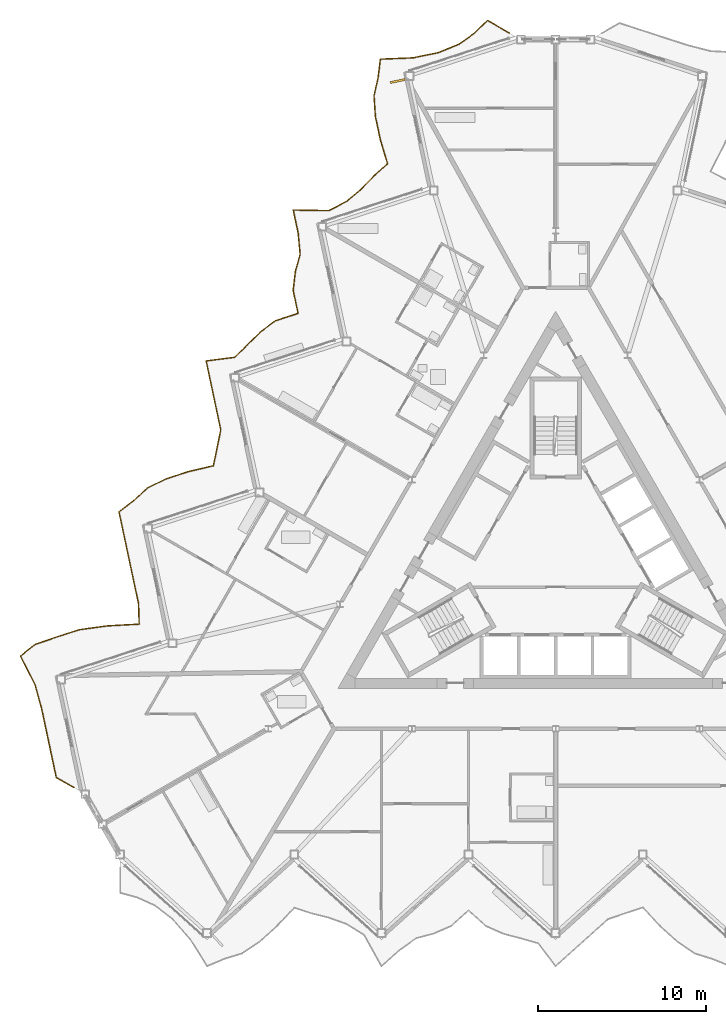
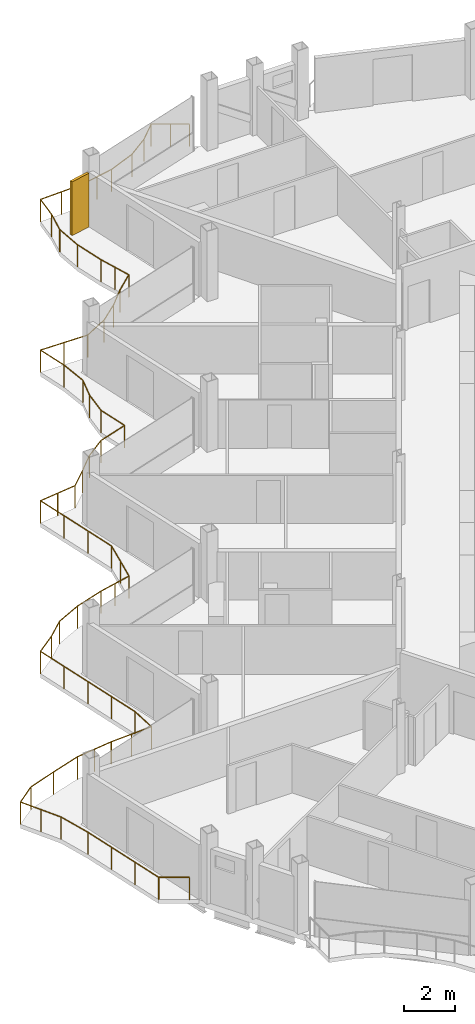
# One storey, part 24 of 26: 1 railing, 1 shading device.
"""IFC4 building model written with IfcOpenShell, lengths in metres."""

from ifc_helpers import new_model, si_unit, direction, frame, origin, origin_2d, place, context, subcontext, project, spatial, rectangle, circle, extrude, material, layer, layer_set, type_object, element, save


model = new_model("IFC4")

# Units and contexts
model_context = context("Model", 3, precision=1e-05, world=origin(), true_north=direction((0.0, 1.0)))
body_context = subcontext(model_context, "Body", "Model", "MODEL_VIEW")
ifc_project = project(units=[si_unit("LENGTHUNIT", "METRE"), si_unit("AREAUNIT", "SQUARE_METRE"), si_unit("VOLUMEUNIT", "CUBIC_METRE"), si_unit("PLANEANGLEUNIT", "RADIAN"), si_unit("MASSUNIT", "GRAM", prefix="KILO")], contexts=[model_context])

# Site, building, storey
site_placement = place(None, origin())
site = spatial("IfcSite", under=ifc_project, at=site_placement, CompositionType="ELEMENT")
building_placement = place(site_placement, origin())
building = spatial("IfcBuilding", under=site, at=building_placement, Name="Cormorant Prow Tower", CompositionType="ELEMENT")
storey_placement = place(building_placement, frame((0.0, 0.0, 384.800048828125)))
storey = spatial("IfcBuildingStorey", under=building, at=storey_placement, Name="L87", CompositionType="ELEMENT", Elevation=384.800048828125)

# Railing
ifc_material_1 = material(Name="Aluminium 6063-T6", Category="aluminium")
railing_type = type_object("IfcRailingType", Name="Balcony guard 1100", PredefinedType="GUARDRAIL", material=ifc_material_1)
railing_placement = place(storey_placement, frame((-2.752685546875, 31.611572265625, 0.0)))
element("IfcRailing", 1, at=railing_placement, inside=storey, type_object=railing_type, Name="Balcony guard WNW", PredefinedType="GUARDRAIL", context=body_context, shape_type="SweptSolid", body=[
    extrude(circle(Radius=0.02392578125, at=origin_2d()), frame((0.0, 0.0, 1.076171875), z_axis=(-0.866030456496, 0.499991248344, 0.0), x_axis=(-0.499991248344, -0.866030456496, 0.0)), (0.0, 0.0, 1.0), 1.52001953125),
    extrude(circle(Radius=0.02392578125, at=origin_2d()), frame((-1.31640625, 0.760009765625, 1.076171875), z_axis=(-0.710157290995, -0.704043054114, 0.0), x_axis=(0.704043054114, -0.710157290995, 0.0)), (0.0, 0.0, 1.0), 1.078125),
    extrude(circle(Radius=0.02392578125, at=origin_2d()), frame((-2.08203125, 0.0009765625, 1.076171875), z_axis=(-0.81488585966, -0.579621458993, 0.0), x_axis=(0.579621458993, -0.81488585966, 0.0)), (0.0, 0.0, 1.0), 1.1435546875),
    extrude(circle(Radius=0.02392578125, at=origin_2d()), frame((-3.013916015625, -0.661865234375, 1.076171875), z_axis=(-0.925200391586, -0.379478899821, 0.0), x_axis=(0.379478899821, -0.925200391586, 0.0)), (0.0, 0.0, 1.0), 1.314453125),
    extrude(circle(Radius=0.02392578125, at=origin_2d()), frame((-4.22998046875, -1.16064453125, 1.076171875), z_axis=(-0.979535760735, -0.201270200081, 0.0), x_axis=(0.201270200081, -0.979535760735, 0.0)), (0.0, 0.0, 1.0), 1.56591796875),
    extrude(circle(Radius=0.02392578125, at=origin_2d()), frame((-5.763916015625, -1.475830078125, 1.076171875), z_axis=(-0.999226169607, -0.039332708695, 0.0), x_axis=(0.039332708695, -0.999226169607, 0.0)), (0.0, 0.0, 1.0), 1.948974609375),
    extrude(circle(Radius=0.02392578125, at=origin_2d()), frame((-7.71142578125, -1.552490234375, 1.076171875), z_axis=(-0.120976497964, -0.992655371688, 0.0), x_axis=(0.992655371688, -0.120976497964, 0.0)), (0.0, 0.0, 1.0), 1.130126953125),
    extrude(circle(Radius=0.02392578125, at=origin_2d()), frame((-7.84814453125, -2.67431640625, 1.076171875), z_axis=(-0.223269557457, -0.974756741302, 0.0), x_axis=(0.974756741302, -0.223269557457, 0.0)), (0.0, 0.0, 1.0), 1.087890625),
    extrude(circle(Radius=0.02392578125, at=origin_2d()), frame((-8.091064453125, -3.73486328125, 1.076171875), z_axis=(0.066700231917, -0.9977730599, 0.0), x_axis=(0.9977730599, 0.066700231917, 0.0)), (0.0, 0.0, 1.0), 1.251708984375),
    extrude(circle(Radius=0.02392578125, at=origin_2d()), frame((-8.007568359375, -4.98388671875, 1.076171875), z_axis=(0.20777738218, -0.978176139279, 0.0), x_axis=(0.978176139279, 0.20777738218, 0.0)), (0.0, 0.0, 1.0), 1.3994140625),
    extrude(circle(Radius=0.02392578125, at=origin_2d()), frame((-7.716796875, -6.352783203125, 1.076171875), z_axis=(0.286134937078, -0.958189332952, 0.0), x_axis=(0.958189332952, 0.286134937078, 0.0)), (0.0, 0.0, 1.0), 1.514404296875),
    extrude(circle(Radius=0.02392578125, at=origin_2d()), frame((-7.283447265625, -7.803955078125, 1.076171875), z_axis=(-0.747433901023, -0.664336182668, 0.0), x_axis=(0.664336182668, -0.747433901023, 0.0)), (0.0, 0.0, 1.0), 1.095947265625),
    extrude(circle(Radius=0.02392578125, at=origin_2d()), frame((-8.1025390625, -8.531982421875, 1.076171875), z_axis=(-0.694232543676, -0.719750773047, 0.0), x_axis=(0.719750773047, -0.694232543676, 0.0)), (0.0, 0.0, 1.0), 1.071533203125),
    extrude(circle(Radius=0.02392578125, at=origin_2d()), frame((-8.846435546875, -9.30322265625, 1.076171875), z_axis=(-0.762042946586, -0.647526484059, 0.0), x_axis=(0.647526484059, -0.762042946586, 0.0)), (0.0, 0.0, 1.0), 1.104248046875),
    extrude(circle(Radius=0.02392578125, at=origin_2d()), frame((-9.68798828125, -10.018310546875, 1.076171875), z_axis=(-0.883254828522, -0.468893279855, 0.0), x_axis=(0.468893279855, -0.883254828522, 0.0)), (0.0, 0.0, 1.0), 1.226806640625),
    extrude(circle(Radius=0.02392578125, at=origin_2d()), frame((-10.771484375, -10.593505859375, 1.076171875), z_axis=(-0.999870634012, 0.016084627427, 0.0), x_axis=(-0.016084627427, -0.999870634012, 0.0)), (0.0, 0.0, 1.0), 2.14013671875),
    extrude(circle(Radius=0.02392578125, at=origin_2d()), frame((-12.911376953125, -10.55908203125, 1.076171875), z_axis=(0.207944297815, -0.978140669335, 0.0), x_axis=(0.978140669335, 0.207944297815, 0.0)), (0.0, 0.0, 1.0), 1.3994140625),
    extrude(circle(Radius=0.02392578125, at=origin_2d()), frame((-12.620361328125, -11.927978515625, 1.076171875), z_axis=(0.093969123422, -0.995575112105, 0.0), x_axis=(0.995575112105, 0.093969123422, 0.0)), (0.0, 0.0, 1.0), 1.275634765625),
    extrude(circle(Radius=0.02392578125, at=origin_2d()), frame((-12.50048828125, -13.197998046875, 1.076171875), z_axis=(-0.265768857958, -0.964036780491, 0.0), x_axis=(0.964036780491, -0.265768857958, 0.0)), (0.0, 0.0, 1.0), 1.07470703125),
    extrude(circle(Radius=0.02392578125, at=origin_2d()), frame((-12.7861328125, -14.234130859375, 1.076171875), z_axis=(-0.115278367878, -0.993333226012, 0.0), x_axis=(0.993333226012, -0.115278367878, 0.0)), (0.0, 0.0, 1.0), 1.133056640625),
    extrude(circle(Radius=0.02392578125, at=origin_2d()), frame((-12.916748046875, -15.359619140625, 1.076171875), z_axis=(0.207979786632, -0.978133124044, 0.0), x_axis=(0.978133124044, 0.207979786632, 0.0)), (0.0, 0.0, 1.0), 1.399169921875),
    extrude(circle(Radius=0.02392578125, at=origin_2d()), frame((-12.625732421875, -16.728271484375, 1.076171875), z_axis=(-0.951028941009, -0.309101849499, 0.0), x_axis=(0.309101849499, -0.951028941009, 0.0)), (0.0, 0.0, 1.0), 1.399658203125),
    extrude(circle(Radius=0.02392578125, at=origin_2d()), frame((-13.956787109375, -17.160888671875, 1.076171875), z_axis=(-0.807107706022, -0.590404226678, 0.0), x_axis=(0.590404226678, -0.807107706022, 0.0)), (0.0, 0.0, 1.0), 1.13671875),
    extrude(circle(Radius=0.02392578125, at=origin_2d()), frame((-14.874267578125, -17.83203125, 1.076171875), z_axis=(-0.702777909554, -0.711409312451, 0.0), x_axis=(0.711409312451, -0.702777909554, 0.0)), (0.0, 0.0, 1.0), 1.074951171875),
    extrude(circle(Radius=0.02392578125, at=origin_2d()), frame((-15.629638671875, -18.5966796875, 1.076171875), z_axis=(-0.71973960261, -0.694244124523, 0.0), x_axis=(0.694244124523, -0.71973960261, 0.0)), (0.0, 0.0, 1.0), 1.08203125),
    extrude(circle(Radius=0.02392578125, at=origin_2d()), frame((-16.408447265625, -19.347900390625, 1.076171875), z_axis=(-0.991921629668, -0.126852199808, 0.0), x_axis=(0.126852199808, -0.991921629668, 0.0)), (0.0, 0.0, 1.0), 1.716796875),
    extrude(circle(Radius=0.02392578125, at=origin_2d()), frame((-18.111328125, -19.565673828125, 1.076171875), z_axis=(0.207944297815, -0.978140669335, 0.0), x_axis=(0.978140669335, 0.207944297815, 0.0)), (0.0, 0.0, 1.0), 1.3994140625),
    extrude(circle(Radius=0.02392578125, at=origin_2d()), frame((-17.8203125, -20.9345703125, 1.076171875), z_axis=(0.207944297815, -0.978140669335, 0.0), x_axis=(0.978140669335, 0.207944297815, 0.0)), (0.0, 0.0, 1.0), 1.3994140625),
    extrude(circle(Radius=0.02392578125, at=origin_2d()), frame((-17.529296875, -22.303466796875, 1.076171875), z_axis=(0.20777738218, -0.978176139279, 0.0), x_axis=(0.978176139279, 0.20777738218, 0.0)), (0.0, 0.0, 1.0), 1.3994140625),
    extrude(circle(Radius=0.02392578125, at=origin_2d()), frame((-17.238525390625, -23.67236328125, 1.076171875), z_axis=(-0.195902319336, -0.980623414609, 0.0), x_axis=(0.980623414609, -0.195902319336, 0.0)), (0.0, 0.0, 1.0), 1.097900390625),
    extrude(circle(Radius=0.02392578125, at=origin_2d()), frame((-17.45361328125, -24.7490234375, 1.076171875), z_axis=(-0.203998769603, -0.978971144621, 0.0), x_axis=(0.978971144621, -0.203998769603, 0.0)), (0.0, 0.0, 1.0), 1.094970703125),
    extrude(circle(Radius=0.02392578125, at=origin_2d()), frame((-17.677001953125, -25.821044921875, 1.076171875), z_axis=(-0.973671491133, -0.227955757452, 0.0), x_axis=(0.227955757452, -0.973671491133, 0.0)), (0.0, 0.0, 1.0), 1.519775390625),
    extrude(circle(Radius=0.02392578125, at=origin_2d()), frame((-19.15673828125, -26.16748046875, 1.076171875), z_axis=(-0.951063554534, -0.308995332064, 0.0), x_axis=(0.308995332064, -0.951063554534, 0.0)), (0.0, 0.0, 1.0), 1.399169921875),
    extrude(circle(Radius=0.02392578125, at=origin_2d()), frame((-20.487548828125, -26.599853515625, 1.076171875), z_axis=(-0.899763253088, -0.43637837755, 0.0), x_axis=(0.43637837755, -0.899763253088, 0.0)), (0.0, 0.0, 1.0), 1.256591796875),
    extrude(circle(Radius=0.02392578125, at=origin_2d()), frame((-21.6181640625, -27.148193359375, 1.076171875), z_axis=(-0.733934542927, -0.679220204866, 0.0), x_axis=(0.679220204866, -0.733934542927, 0.0)), (0.0, 0.0, 1.0), 1.0888671875),
    extrude(circle(Radius=0.02392578125, at=origin_2d()), frame((-22.417236328125, -27.8876953125, 1.076171875), z_axis=(-0.794056234452, -0.607844302867, 0.0), x_axis=(0.607844302867, -0.794056234452, 0.0)), (0.0, 0.0, 1.0), 1.126220703125),
    extrude(circle(Radius=0.02392578125, at=origin_2d()), frame((-23.3115234375, -28.572265625, 1.076171875), z_axis=(0.207944297815, -0.978140669335, 0.0), x_axis=(0.978140669335, 0.207944297815, 0.0)), (0.0, 0.0, 1.0), 1.3994140625),
    extrude(circle(Radius=0.02392578125, at=origin_2d()), frame((-23.0205078125, -29.941162109375, 1.076171875), z_axis=(0.207944297815, -0.978140669335, 0.0), x_axis=(0.978140669335, 0.207944297815, 0.0)), (0.0, 0.0, 1.0), 1.3994140625),
    extrude(circle(Radius=0.02392578125, at=origin_2d()), frame((-22.7294921875, -31.31005859375, 1.076171875), z_axis=(0.207944297815, -0.978140669335, 0.0), x_axis=(0.978140669335, 0.207944297815, 0.0)), (0.0, 0.0, 1.0), 1.3994140625),
    extrude(circle(Radius=0.02392578125, at=origin_2d()), frame((-22.4384765625, -32.678955078125, 1.076171875), z_axis=(0.207944297815, -0.978140669335, 0.0), x_axis=(0.978140669335, 0.207944297815, 0.0)), (0.0, 0.0, 1.0), 1.3994140625),
    extrude(circle(Radius=0.02392578125, at=origin_2d()), frame((-22.1474609375, -34.0478515625, 1.076171875), z_axis=(0.032890054051, -0.999458975819, 0.0), x_axis=(0.999458975819, 0.032890054051, 0.0)), (0.0, 0.0, 1.0), 1.224853515625),
    extrude(circle(Radius=0.02392578125, at=origin_2d()), frame((-22.107177734375, -35.27197265625, 1.076171875), z_axis=(-0.998466276109, -0.055363304387, 0.0), x_axis=(0.055363304387, -0.998466276109, 0.0)), (0.0, 0.0, 1.0), 1.900634765625),
    extrude(circle(Radius=0.02392578125, at=origin_2d()), frame((-24.0048828125, -35.377197265625, 1.076171875), z_axis=(-0.990826668367, -0.13513886655, 0.0), x_axis=(0.13513886655, -0.990826668367, 0.0)), (0.0, 0.0, 1.0), 1.6982421875),
    extrude(circle(Radius=0.02392578125, at=origin_2d()), frame((-25.6875, -35.606689453125, 1.076171875), z_axis=(-0.951080208938, -0.308944066403, 0.0), x_axis=(0.308944066403, -0.951080208938, 0.0)), (0.0, 0.0, 1.0), 1.3994140625),
    extrude(circle(Radius=0.02392578125, at=origin_2d()), frame((-27.0185546875, -36.0390625, 1.076171875), z_axis=(-0.945592977714, -0.325351994767, 0.0), x_axis=(0.325351994767, -0.945592977714, 0.0)), (0.0, 0.0, 1.0), 1.37841796875),
    extrude(circle(Radius=0.02392578125, at=origin_2d()), frame((-28.322021484375, -36.487548828125, 1.076171875), z_axis=(-0.781593284151, -0.62378837611, 0.0), x_axis=(0.62378837611, -0.781593284151, 0.0)), (0.0, 0.0, 1.0), 1.116943359375),
    extrude(circle(Radius=0.02392578125, at=origin_2d()), frame((-29.195068359375, -37.184326171875, 1.076171875), z_axis=(0.456008801075, -0.889975265579, 0.0), x_axis=(0.889975265579, 0.456008801075, 0.0)), (0.0, 0.0, 1.0), 1.916259765625),
    extrude(circle(Radius=0.02392578125, at=origin_2d()), frame((-28.3212890625, -38.8896484375, 1.076171875), z_axis=(0.264792186172, -0.964305500421, 0.0), x_axis=(0.964305500421, 0.264792186172, 0.0)), (0.0, 0.0, 1.0), 1.479736328125),
    extrude(circle(Radius=0.02392578125, at=origin_2d()), frame((-27.929443359375, -40.316650390625, 1.076171875), z_axis=(0.207908820833, -0.978148210764, 0.0), x_axis=(0.978148210764, 0.207908820833, 0.0)), (0.0, 0.0, 1.0), 1.399658203125),
    extrude(circle(Radius=0.02392578125, at=origin_2d()), frame((-27.638427734375, -41.685791015625, 1.076171875), z_axis=(0.207944297815, -0.978140669335, 0.0), x_axis=(0.978140669335, 0.207944297815, 0.0)), (0.0, 0.0, 1.0), 1.3994140625),
    extrude(circle(Radius=0.02392578125, at=origin_2d()), frame((-27.347412109375, -43.0546875, 1.076171875), z_axis=(0.207812845083, -0.978168605823, 0.0), x_axis=(0.978168605823, 0.207812845083, 0.0)), (0.0, 0.0, 1.0), 1.399169921875),
    extrude(circle(Radius=0.02392578125, at=origin_2d()), frame((-27.056640625, -44.42333984375, 1.076171875), z_axis=(0.866005645448, -0.500034220881, 0.0), x_axis=(0.500034220881, 0.866005645448, 0.0)), (0.0, 0.0, 1.0), 1.22021484375),
    extrude(circle(Radius=0.02099609375, at=origin_2d()), origin(), (0.0, 0.0, 1.0), 1.052001953125),
    extrude(circle(Radius=0.02099609375, at=origin_2d()), frame((-0.658203125, 0.3798828125, 0.0)), (0.0, 0.0, 1.0), 1.052001953125),
    extrude(circle(Radius=0.02099609375, at=origin_2d()), frame((-1.31640625, 0.760009765625, 0.0)), (0.0, 0.0, 1.0), 1.052001953125),
    extrude(circle(Radius=0.02099609375, at=origin_2d()), frame((-2.08203125, 0.0009765625, 0.0)), (0.0, 0.0, 1.0), 1.052001953125),
    extrude(circle(Radius=0.02099609375, at=origin_2d()), frame((-3.013916015625, -0.661865234375, 0.0)), (0.0, 0.0, 1.0), 1.052001953125),
    extrude(circle(Radius=0.02099609375, at=origin_2d()), frame((-4.22998046875, -1.16064453125, 0.0)), (0.0, 0.0, 1.0), 1.052001953125),
    extrude(circle(Radius=0.02099609375, at=origin_2d()), frame((-4.9970703125, -1.318359375, 0.0)), (0.0, 0.0, 1.0), 1.052001953125),
    extrude(circle(Radius=0.02099609375, at=origin_2d()), frame((-5.763916015625, -1.475830078125, 0.0)), (0.0, 0.0, 1.0), 1.052001953125),
    extrude(circle(Radius=0.02099609375, at=origin_2d()), frame((-6.73779296875, -1.51416015625, 0.0)), (0.0, 0.0, 1.0), 1.052001953125),
    extrude(circle(Radius=0.02099609375, at=origin_2d()), frame((-7.71142578125, -1.552490234375, 0.0)), (0.0, 0.0, 1.0), 1.052001953125),
    extrude(circle(Radius=0.02099609375, at=origin_2d()), frame((-7.84814453125, -2.67431640625, 0.0)), (0.0, 0.0, 1.0), 1.052001953125),
    extrude(circle(Radius=0.02099609375, at=origin_2d()), frame((-8.091064453125, -3.73486328125, 0.0)), (0.0, 0.0, 1.0), 1.052001953125),
    extrude(circle(Radius=0.02099609375, at=origin_2d()), frame((-8.007568359375, -4.98388671875, 0.0)), (0.0, 0.0, 1.0), 1.052001953125),
    extrude(circle(Radius=0.02099609375, at=origin_2d()), frame((-7.716796875, -6.352783203125, 0.0)), (0.0, 0.0, 1.0), 1.052001953125),
    extrude(circle(Radius=0.02099609375, at=origin_2d()), frame((-7.5, -7.078369140625, 0.0)), (0.0, 0.0, 1.0), 1.052001953125),
    extrude(circle(Radius=0.02099609375, at=origin_2d()), frame((-7.283447265625, -7.803955078125, 0.0)), (0.0, 0.0, 1.0), 1.052001953125),
    extrude(circle(Radius=0.02099609375, at=origin_2d()), frame((-8.1025390625, -8.531982421875, 0.0)), (0.0, 0.0, 1.0), 1.052001953125),
    extrude(circle(Radius=0.02099609375, at=origin_2d()), frame((-8.846435546875, -9.30322265625, 0.0)), (0.0, 0.0, 1.0), 1.052001953125),
    extrude(circle(Radius=0.02099609375, at=origin_2d()), frame((-9.68798828125, -10.018310546875, 0.0)), (0.0, 0.0, 1.0), 1.052001953125),
    extrude(circle(Radius=0.02099609375, at=origin_2d()), frame((-10.771484375, -10.593505859375, 0.0)), (0.0, 0.0, 1.0), 1.052001953125),
    extrude(circle(Radius=0.02099609375, at=origin_2d()), frame((-11.84130859375, -10.576171875, 0.0)), (0.0, 0.0, 1.0), 1.052001953125),
    extrude(circle(Radius=0.02099609375, at=origin_2d()), frame((-12.911376953125, -10.55908203125, 0.0)), (0.0, 0.0, 1.0), 1.052001953125),
    extrude(circle(Radius=0.02099609375, at=origin_2d()), frame((-12.620361328125, -11.927978515625, 0.0)), (0.0, 0.0, 1.0), 1.052001953125),
    extrude(circle(Radius=0.02099609375, at=origin_2d()), frame((-12.50048828125, -13.197998046875, 0.0)), (0.0, 0.0, 1.0), 1.052001953125),
    extrude(circle(Radius=0.02099609375, at=origin_2d()), frame((-12.7861328125, -14.234130859375, 0.0)), (0.0, 0.0, 1.0), 1.052001953125),
    extrude(circle(Radius=0.02099609375, at=origin_2d()), frame((-12.916748046875, -15.359619140625, 0.0)), (0.0, 0.0, 1.0), 1.052001953125),
    extrude(circle(Radius=0.02099609375, at=origin_2d()), frame((-12.625732421875, -16.728271484375, 0.0)), (0.0, 0.0, 1.0), 1.052001953125),
    extrude(circle(Radius=0.02099609375, at=origin_2d()), frame((-13.956787109375, -17.160888671875, 0.0)), (0.0, 0.0, 1.0), 1.052001953125),
    extrude(circle(Radius=0.02099609375, at=origin_2d()), frame((-14.874267578125, -17.83203125, 0.0)), (0.0, 0.0, 1.0), 1.052001953125),
    extrude(circle(Radius=0.02099609375, at=origin_2d()), frame((-15.629638671875, -18.5966796875, 0.0)), (0.0, 0.0, 1.0), 1.052001953125),
    extrude(circle(Radius=0.02099609375, at=origin_2d()), frame((-16.408447265625, -19.347900390625, 0.0)), (0.0, 0.0, 1.0), 1.052001953125),
    extrude(circle(Radius=0.02099609375, at=origin_2d()), frame((-17.259765625, -19.456787109375, 0.0)), (0.0, 0.0, 1.0), 1.052001953125),
    extrude(circle(Radius=0.02099609375, at=origin_2d()), frame((-18.111328125, -19.565673828125, 0.0)), (0.0, 0.0, 1.0), 1.052001953125),
    extrude(circle(Radius=0.02099609375, at=origin_2d()), frame((-17.8203125, -20.9345703125, 0.0)), (0.0, 0.0, 1.0), 1.052001953125),
    extrude(circle(Radius=0.02099609375, at=origin_2d()), frame((-17.529296875, -22.303466796875, 0.0)), (0.0, 0.0, 1.0), 1.052001953125),
    extrude(circle(Radius=0.02099609375, at=origin_2d()), frame((-17.238525390625, -23.67236328125, 0.0)), (0.0, 0.0, 1.0), 1.052001953125),
    extrude(circle(Radius=0.02099609375, at=origin_2d()), frame((-17.45361328125, -24.7490234375, 0.0)), (0.0, 0.0, 1.0), 1.052001953125),
    extrude(circle(Radius=0.02099609375, at=origin_2d()), frame((-17.677001953125, -25.821044921875, 0.0)), (0.0, 0.0, 1.0), 1.052001953125),
    extrude(circle(Radius=0.02099609375, at=origin_2d()), frame((-18.4169921875, -25.994140625, 0.0)), (0.0, 0.0, 1.0), 1.052001953125),
    extrude(circle(Radius=0.02099609375, at=origin_2d()), frame((-19.15673828125, -26.16748046875, 0.0)), (0.0, 0.0, 1.0), 1.052001953125),
    extrude(circle(Radius=0.02099609375, at=origin_2d()), frame((-20.487548828125, -26.599853515625, 0.0)), (0.0, 0.0, 1.0), 1.052001953125),
    extrude(circle(Radius=0.02099609375, at=origin_2d()), frame((-21.6181640625, -27.148193359375, 0.0)), (0.0, 0.0, 1.0), 1.052001953125),
    extrude(circle(Radius=0.02099609375, at=origin_2d()), frame((-22.417236328125, -27.8876953125, 0.0)), (0.0, 0.0, 1.0), 1.052001953125),
    extrude(circle(Radius=0.02099609375, at=origin_2d()), frame((-23.3115234375, -28.572265625, 0.0)), (0.0, 0.0, 1.0), 1.052001953125),
    extrude(circle(Radius=0.02099609375, at=origin_2d()), frame((-23.0205078125, -29.941162109375, 0.0)), (0.0, 0.0, 1.0), 1.052001953125),
    extrude(circle(Radius=0.02099609375, at=origin_2d()), frame((-22.7294921875, -31.31005859375, 0.0)), (0.0, 0.0, 1.0), 1.052001953125),
    extrude(circle(Radius=0.02099609375, at=origin_2d()), frame((-22.4384765625, -32.678955078125, 0.0)), (0.0, 0.0, 1.0), 1.052001953125),
    extrude(circle(Radius=0.02099609375, at=origin_2d()), frame((-22.1474609375, -34.0478515625, 0.0)), (0.0, 0.0, 1.0), 1.052001953125),
    extrude(circle(Radius=0.02099609375, at=origin_2d()), frame((-22.107177734375, -35.27197265625, 0.0)), (0.0, 0.0, 1.0), 1.052001953125),
    extrude(circle(Radius=0.02099609375, at=origin_2d()), frame((-23.05615234375, -35.32470703125, 0.0)), (0.0, 0.0, 1.0), 1.052001953125),
    extrude(circle(Radius=0.02099609375, at=origin_2d()), frame((-24.0048828125, -35.377197265625, 0.0)), (0.0, 0.0, 1.0), 1.052001953125),
    extrude(circle(Radius=0.02099609375, at=origin_2d()), frame((-24.84619140625, -35.491943359375, 0.0)), (0.0, 0.0, 1.0), 1.052001953125),
    extrude(circle(Radius=0.02099609375, at=origin_2d()), frame((-25.6875, -35.606689453125, 0.0)), (0.0, 0.0, 1.0), 1.052001953125),
    extrude(circle(Radius=0.02099609375, at=origin_2d()), frame((-27.0185546875, -36.0390625, 0.0)), (0.0, 0.0, 1.0), 1.052001953125),
    extrude(circle(Radius=0.02099609375, at=origin_2d()), frame((-28.322021484375, -36.487548828125, 0.0)), (0.0, 0.0, 1.0), 1.052001953125),
    extrude(circle(Radius=0.02099609375, at=origin_2d()), frame((-29.195068359375, -37.184326171875, 0.0)), (0.0, 0.0, 1.0), 1.052001953125),
    extrude(circle(Radius=0.02099609375, at=origin_2d()), frame((-28.75830078125, -38.037109375, 0.0)), (0.0, 0.0, 1.0), 1.052001953125),
    extrude(circle(Radius=0.02099609375, at=origin_2d()), frame((-28.3212890625, -38.8896484375, 0.0)), (0.0, 0.0, 1.0), 1.052001953125),
    extrude(circle(Radius=0.02099609375, at=origin_2d()), frame((-27.929443359375, -40.316650390625, 0.0)), (0.0, 0.0, 1.0), 1.052001953125),
    extrude(circle(Radius=0.02099609375, at=origin_2d()), frame((-27.638427734375, -41.685791015625, 0.0)), (0.0, 0.0, 1.0), 1.052001953125),
    extrude(circle(Radius=0.02099609375, at=origin_2d()), frame((-27.347412109375, -43.0546875, 0.0)), (0.0, 0.0, 1.0), 1.052001953125),
    extrude(circle(Radius=0.02099609375, at=origin_2d()), frame((-27.056640625, -44.42333984375, 0.0)), (0.0, 0.0, 1.0), 1.052001953125),
    extrude(circle(Radius=0.02099609375, at=origin_2d()), frame((-26.0, -45.033447265625, 0.0)), (0.0, 0.0, 1.0), 1.052001953125),
])

# Shading device
ifc_material_2 = material(Name="Terracotta", Category="masonry")
ifc_layer = layer(ifc_material_2, 0.1201171875)
ifc_layer_set = layer_set([ifc_layer], Name="Terracotta")
shading_device_type = type_object("IfcShadingDeviceType", Name="Terracotta baguette fin 120x900x2600", PredefinedType="USERDEFINED", material=ifc_layer_set)
shading_device_placement = place(storey_placement, frame((-9.429931640625, 28.7490234375, 0.0), z_axis=(0.0, 0.0, 1.0), x_axis=(0.207911785891, -0.978147580525, 0.0)))
element("IfcShadingDevice", 2, at=shading_device_placement, inside=storey, type_object=shading_device_type, Name="Baguette fin WNW01", ObjectType="BAGUETTE", PredefinedType="USERDEFINED", context=body_context, shape_type="SweptSolid", body=[
    extrude(rectangle(XDim=0.1201171875, YDim=0.89990234375, at=origin_2d()), origin(), (0.0, 0.0, 1.0), 2.60009765625),
])

save(model, "model.ifc")
